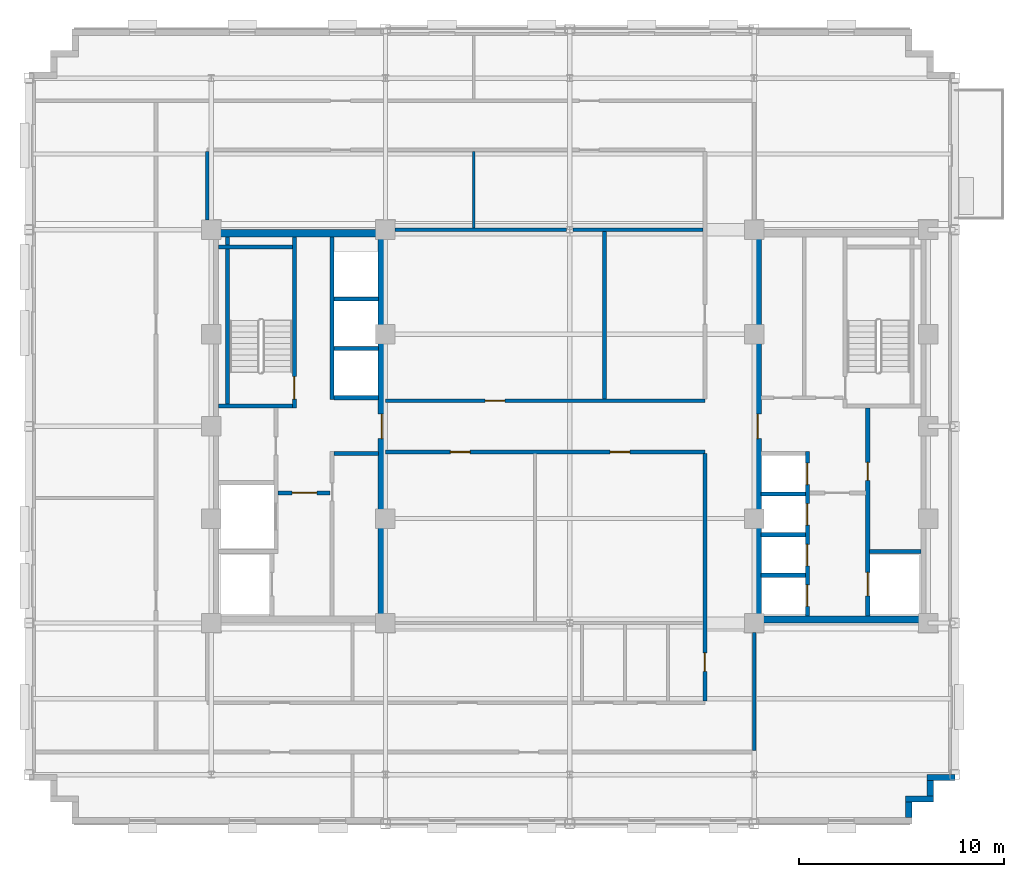
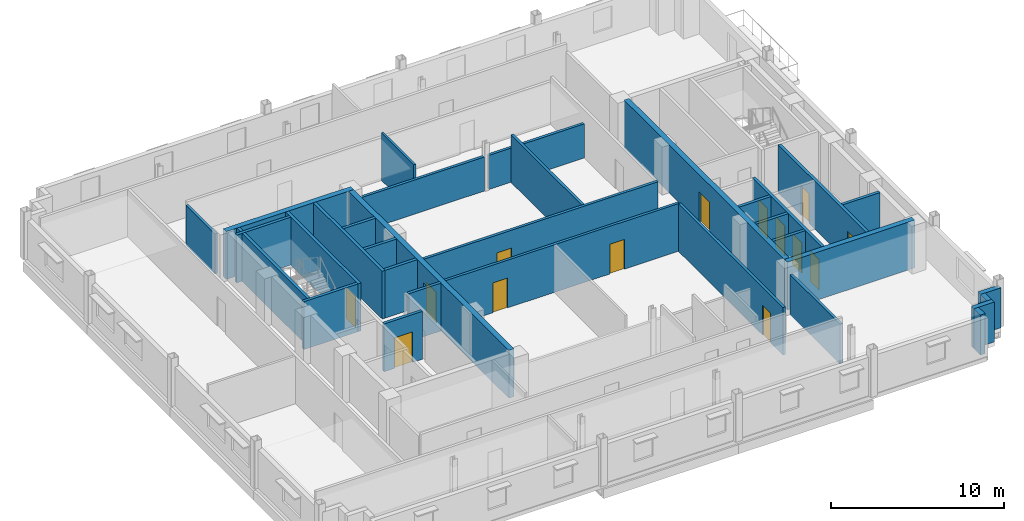
# One storey, part 7 of 13: 33 walls, 14 doors, 14 openings.
"""IFC4 building model written with IfcOpenShell, lengths in metres."""

from ifc_helpers import new_model, si_unit, direction, frame, frame_2d, origin, place, context, subcontext, project, spatial, rectangle, extrude, source, transform, mapped, material, layer, layer_set, type_object, type_shapes, element, fill, save


model = new_model("IFC4")

# Units and contexts
model_context = context("Model", 3, precision=1e-05, world=origin(), true_north=direction((0.0, 1.0)))
body_context = subcontext(model_context, "Body", "Model", "MODEL_VIEW")
ifc_project = project(units=[si_unit("LENGTHUNIT", "METRE"), si_unit("AREAUNIT", "SQUARE_METRE"), si_unit("VOLUMEUNIT", "CUBIC_METRE"), si_unit("PLANEANGLEUNIT", "RADIAN"), si_unit("MASSUNIT", "GRAM", prefix="KILO")], contexts=[model_context])

# Site, building, storey
site_placement = place(None, origin())
site = spatial("IfcSite", under=ifc_project, at=site_placement, CompositionType="ELEMENT")
building_placement = place(site_placement, origin())
building = spatial("IfcBuilding", under=site, at=building_placement, Name="Nuvemarco Arch Tower", CompositionType="ELEMENT")
storey_placement = place(building_placement, frame((0.0, 0.0, 220.10009765625)))
storey = spatial("IfcBuildingStorey", under=building, at=storey_placement, Name="L58", CompositionType="ELEMENT", Elevation=220.10009765625)

# Walls
ifc_material_1 = material(Name="Precast concrete C45/55", Category="concrete")
ifc_layer_1 = layer(ifc_material_1, 0.31005859375, Name="EW-UPP-310")
ifc_layer_set_1 = layer_set([ifc_layer_1], Name="Precast concrete C45/55")
wall_type_1 = type_object("IfcWallType", Name="EW-UPP-310", PredefinedType="STANDARD", material=ifc_layer_set_1)
wall_1_placement = place(storey_placement, frame((16.544921875, -19.093994140625, 0.0), z_axis=(0.0, 0.0, 1.0), x_axis=(0.0, 1.0, 0.0)))
element("IfcWall", 1, at=wall_1_placement, inside=storey, type_object=wall_type_1, Name="L58 exterior precast facade wall 2", PredefinedType="STANDARD", context=body_context, shape_type="SweptSolid", body=[
    extrude(rectangle(XDim=0.748046875, YDim=0.31005859375, at=frame_2d((0.3740234375, 0.0))), origin(), (0.0, 0.0, 1.0), 2.81591796875),
])
wall_2_placement = place(storey_placement, frame((16.389892578125, -18.195068359375, 0.0), z_axis=(0.0, 0.0, 1.0), x_axis=(1.0, 0.0, 0.0)))
element("IfcWall", 2, at=wall_2_placement, inside=storey, type_object=wall_type_1, Name="L58 exterior precast facade wall 3", PredefinedType="STANDARD", context=body_context, shape_type="SweptSolid", body=[
    extrude(rectangle(XDim=1.360107421875, YDim=0.31005859375, at=frame_2d((0.68017578125, 0.0))), origin(), (0.0, 0.0, 1.0), 2.81591796875),
])
wall_3_placement = place(storey_placement, frame((17.594970703125, -18.0439453125, 0.0), z_axis=(0.0, 0.0, 1.0), x_axis=(0.0, 1.0, 0.0)))
element("IfcWall", 3, at=wall_3_placement, inside=storey, type_object=wall_type_1, Name="L58 exterior precast facade wall 4", PredefinedType="STANDARD", context=body_context, shape_type="SweptSolid", body=[
    extrude(rectangle(XDim=0.748046875, YDim=0.31005859375, at=frame_2d((0.3740234375, 0.0))), origin(), (0.0, 0.0, 1.0), 2.81591796875),
])
wall_4_placement = place(storey_placement, frame((17.43994140625, -17.14501953125, 0.0), z_axis=(0.0, 0.0, 1.0), x_axis=(1.0, 0.0, 0.0)))
element("IfcWall", 4, at=wall_4_placement, inside=storey, type_object=wall_type_1, Name="L58 exterior precast facade wall 5", PredefinedType="STANDARD", context=body_context, shape_type="SweptSolid", body=[
    extrude(rectangle(XDim=1.360107421875, YDim=0.31005859375, at=frame_2d((0.68017578125, 0.0))), origin(), (0.0, 0.0, 1.0), 2.81591796875),
])
ifc_material_2 = material(Name="Concrete C50/60", Category="concrete")
ifc_layer_2 = layer(ifc_material_2, 0.35009765625, Name="WL-CORE-350")
ifc_layer_set_2 = layer_set([ifc_layer_2], Name="Concrete C50/60")
wall_type_2 = type_object("IfcWallType", Name="WL-CORE-350", PredefinedType="SHEAR", material=ifc_layer_set_2)
wall_5_placement = place(storey_placement, frame((-17.5, 9.425048828125, 0.0), z_axis=(0.0, 0.0, 1.0), x_axis=(1.0, 0.0, 0.0)))
element("IfcWall", 5, at=wall_5_placement, inside=storey, type_object=wall_type_2, Name="L58 W-core shear wall N", PredefinedType="SHEAR", context=body_context, shape_type="SweptSolid", body=[
    extrude(rectangle(XDim=8.5, YDim=0.35009765625, at=frame_2d((4.25, 0.0))), origin(), (0.0, 0.0, 1.0), 3.369873046875),
])

# Wall, opening, door
wall_6_placement = place(storey_placement, frame((-9.175048828125, -9.2548828125, 0.0), z_axis=(0.0, 0.0, 1.0), x_axis=(0.0, 1.0, 0.0)))
wall_6 = element("IfcWall", 6, at=wall_6_placement, inside=storey, type_object=wall_type_2, Name="L58 W-core shear wall E", PredefinedType="SHEAR", context=body_context, shape_type="SweptSolid", body=[
    extrude(rectangle(XDim=18.509765625, YDim=0.35009765625, at=frame_2d((9.2548828125, 0.0))), origin(), (0.0, 0.0, 1.0), 3.369873046875),
])
opening_1_placement = place(wall_6_placement, frame((8.655029296875, 0.0, 0.0)))
opening_1 = element("IfcOpeningElement", 7, at=opening_1_placement, cuts=wall_6, Name="Opening FD-2", PredefinedType="OPENING", context=body_context, shape_type="SweptSolid", body=[
    extrude(rectangle(XDim=1.199951171875, YDim=2.14990234375, at=frame_2d((0.60009765625, 1.074951171875))), frame((0.0, 0.18505859375, 0.0), z_axis=(0.0, -1.0, 0.0), x_axis=(1.0, 0.0, 0.0)), (0.0, 0.0, 1.0), 0.3701171875),
])
ifc_material_3 = material(Name="Anodised steel fire door", Category="steel")
door_type_1 = type_object("IfcDoorType", Name="DR-FFLOB-FD", OperationType="NOTDEFINED", PredefinedType="DOOR", material=ifc_material_3)
shared_shape_1 = source(origin(), body_context, "Body", "SweptSolid", [
    extrude(rectangle(XDim=1.199951171875, YDim=2.14990234375, at=frame_2d((0.60009765625, 1.074951171875))), frame((0.0, 0.02490234375, 0.0), z_axis=(0.0, -1.0, 0.0), x_axis=(1.0, 0.0, 0.0)), (0.0, 0.0, 1.0), 0.050048828125),
])
type_shapes(door_type_1, [shared_shape_1])
door_1_placement = place(opening_1_placement, origin())
door_1 = element("IfcDoor", 8, at=door_1_placement, inside=storey, type_object=door_type_1, Name="L58 door FD-L58-WCORE-E", OperationType="SINGLE_SWING_RIGHT", OverallHeight=2.14990234375, OverallWidth=1.199951171875, PredefinedType="DOOR", context=body_context, shape_type="MappedRepresentation", body=[
    mapped(shared_shape_1, transform((0.0, 0.0, 0.0), scale=1.0)),
])
fill(opening_1, door_1)

# Wall
wall_7_placement = place(storey_placement, frame((9.0, -9.425048828125, 0.0), z_axis=(0.0, 0.0, 1.0), x_axis=(1.0, 0.0, 0.0)))
element("IfcWall", 9, at=wall_7_placement, inside=storey, type_object=wall_type_2, Name="L58 E-core shear wall S", PredefinedType="SHEAR", context=body_context, shape_type="SweptSolid", body=[
    extrude(rectangle(XDim=8.5, YDim=0.35009765625, at=frame_2d((4.25, 0.0))), origin(), (0.0, 0.0, 1.0), 3.369873046875),
])

# Wall, opening, door
wall_8_placement = place(storey_placement, frame((9.175048828125, -9.2548828125, 0.0), z_axis=(0.0, 0.0, 1.0), x_axis=(0.0, 1.0, 0.0)))
wall_8 = element("IfcWall", 10, at=wall_8_placement, inside=storey, type_object=wall_type_2, Name="L58 E-core shear wall W", PredefinedType="SHEAR", context=body_context, shape_type="SweptSolid", body=[
    extrude(rectangle(XDim=18.509765625, YDim=0.35009765625, at=frame_2d((9.2548828125, 0.0))), origin(), (0.0, 0.0, 1.0), 3.369873046875),
])
opening_2_placement = place(wall_8_placement, frame((8.655029296875, 0.0, 0.0)))
opening_2 = element("IfcOpeningElement", 11, at=opening_2_placement, cuts=wall_8, Name="Opening FD-2", PredefinedType="OPENING", context=body_context, shape_type="SweptSolid", body=[
    extrude(rectangle(XDim=1.199951171875, YDim=2.14990234375, at=frame_2d((0.60009765625, 1.074951171875))), frame((0.0, 0.18505859375, 0.0), z_axis=(0.0, -1.0, 0.0), x_axis=(1.0, 0.0, 0.0)), (0.0, 0.0, 1.0), 0.3701171875),
])
door_2_placement = place(opening_2_placement, origin())
door_2 = element("IfcDoor", 12, at=door_2_placement, inside=storey, type_object=door_type_1, Name="L58 door FD-L58-ECORE-W", OperationType="SINGLE_SWING_LEFT", OverallHeight=2.14990234375, OverallWidth=1.199951171875, PredefinedType="DOOR", context=body_context, shape_type="MappedRepresentation", body=[
    mapped(shared_shape_1, transform((0.0, 0.0, 0.0), scale=1.0)),
])
fill(opening_2, door_2)

# Wall, openings, doors
ifc_material_4 = material(Name="Fire-rated gypsum drywall partition")
ifc_layer_3 = layer(ifc_material_4, 0.179931640625, Name="WL-CORR-180")
ifc_layer_set_3 = layer_set([ifc_layer_3], Name="Fire-rated gypsum drywall partition")
wall_type_3 = type_object("IfcWallType", Name="WL-CORR-180", PredefinedType="PARTITIONING", material=ifc_layer_set_3)
wall_9_placement = place(storey_placement, frame((-9.0, -1.25, 0.0), z_axis=(0.0, 0.0, 1.0), x_axis=(1.0, 0.0, 0.0)))
wall_9 = element("IfcWall", 13, at=wall_9_placement, inside=storey, type_object=wall_type_3, Name="L58 interior wall IW-L58-006", PredefinedType="PARTITIONING", context=body_context, shape_type="SweptSolid", body=[
    extrude(rectangle(XDim=15.60009765625, YDim=0.179931640625, at=frame_2d((7.800048828125, 0.0))), origin(), (0.0, 0.0, 1.0), 3.35986328125),
])
opening_3_placement = place(wall_9_placement, frame((10.969970703125, 0.0, 0.0)))
opening_3 = element("IfcOpeningElement", 14, at=opening_3_placement, cuts=wall_9, Name="Opening FD-5", PredefinedType="OPENING", context=body_context, shape_type="SweptSolid", body=[
    extrude(rectangle(XDim=0.9599609375, YDim=2.10009765625, at=frame_2d((0.47998046875, 1.050048828125))), frame((0.0, 0.099853515625, 0.0), z_axis=(0.0, -1.0, 0.0), x_axis=(1.0, 0.0, 0.0)), (0.0, 0.0, 1.0), 0.199951171875),
])
opening_4_placement = place(wall_9_placement, frame((3.169921875, 0.0, 0.0)))
opening_4 = element("IfcOpeningElement", 15, at=opening_4_placement, cuts=wall_9, Name="Opening FD-5", PredefinedType="OPENING", context=body_context, shape_type="SweptSolid", body=[
    extrude(rectangle(XDim=0.9599609375, YDim=2.10009765625, at=frame_2d((0.47998046875, 1.050048828125))), frame((0.0, 0.099853515625, 0.0), z_axis=(0.0, -1.0, 0.0), x_axis=(1.0, 0.0, 0.0)), (0.0, 0.0, 1.0), 0.199951171875),
])
ifc_material_5 = material(Name="Timber fire door", Category="wood")
door_type_2 = type_object("IfcDoorType", Name="DR-CORR-FD", OperationType="NOTDEFINED", PredefinedType="DOOR", material=ifc_material_5)
shared_shape_2 = source(origin(), body_context, "Body", "SweptSolid", [
    extrude(rectangle(XDim=0.9599609375, YDim=2.10009765625, at=frame_2d((0.47998046875, 1.050048828125))), frame((0.0, 0.02490234375, 0.0), z_axis=(0.0, -1.0, 0.0), x_axis=(1.0, 0.0, 0.0)), (0.0, 0.0, 1.0), 0.050048828125),
])
type_shapes(door_type_2, [shared_shape_2])
door_3_placement = place(opening_3_placement, origin())
door_3 = element("IfcDoor", 16, at=door_3_placement, inside=storey, type_object=door_type_2, Name="L58 door DR-L58-C_SE", OperationType="SINGLE_SWING_LEFT", OverallHeight=2.10009765625, OverallWidth=0.9599609375, PredefinedType="DOOR", context=body_context, shape_type="MappedRepresentation", body=[
    mapped(shared_shape_2, transform((0.0, 0.0, 0.0), scale=1.0)),
])
fill(opening_3, door_3)
door_4_placement = place(opening_4_placement, origin())
door_4 = element("IfcDoor", 17, at=door_4_placement, inside=storey, type_object=door_type_2, Name="L58 door DR-L58-C_SW", OperationType="SINGLE_SWING_LEFT", OverallHeight=2.10009765625, OverallWidth=0.9599609375, PredefinedType="DOOR", context=body_context, shape_type="MappedRepresentation", body=[
    mapped(shared_shape_2, transform((0.0, 0.0, 0.0), scale=1.0)),
])
fill(opening_4, door_4)

# Wall, opening, door
wall_10_placement = place(storey_placement, frame((-9.0, 1.25, 0.0), z_axis=(0.0, 0.0, 1.0), x_axis=(1.0, 0.0, 0.0)))
wall_10 = element("IfcWall", 18, at=wall_10_placement, inside=storey, type_object=wall_type_3, Name="L58 interior wall IW-L58-007", PredefinedType="PARTITIONING", context=body_context, shape_type="SweptSolid", body=[
    extrude(rectangle(XDim=15.60009765625, YDim=0.179931640625, at=frame_2d((7.800048828125, 0.0))), origin(), (0.0, 0.0, 1.0), 3.35986328125),
])
opening_5_placement = place(wall_10_placement, frame((4.8701171875, 0.0, 0.0)))
opening_5 = element("IfcOpeningElement", 19, at=opening_5_placement, cuts=wall_10, Name="Opening FD-5", PredefinedType="OPENING", context=body_context, shape_type="SweptSolid", body=[
    extrude(rectangle(XDim=0.9599609375, YDim=2.10009765625, at=frame_2d((0.47998046875, 1.050048828125))), frame((0.0, 0.099853515625, 0.0), z_axis=(0.0, -1.0, 0.0), x_axis=(1.0, 0.0, 0.0)), (0.0, 0.0, 1.0), 0.199951171875),
])
door_5_placement = place(opening_5_placement, origin())
door_5 = element("IfcDoor", 20, at=door_5_placement, inside=storey, type_object=door_type_2, Name="L58 door DR-L58-C_NW", OperationType="SINGLE_SWING_LEFT", OverallHeight=2.10009765625, OverallWidth=0.9599609375, PredefinedType="DOOR", context=body_context, shape_type="MappedRepresentation", body=[
    mapped(shared_shape_2, transform((0.0, 0.0, 0.0), scale=1.0)),
])
fill(opening_5, door_5)

# Walls
wall_11_placement = place(storey_placement, frame((-8.529052734375, 9.60009765625, 0.0), z_axis=(0.0, 0.0, 1.0), x_axis=(1.0, 0.0, 0.0)))
element("IfcWall", 21, at=wall_11_placement, inside=storey, type_object=wall_type_3, Name="L58 interior wall IW-L58-008", PredefinedType="PARTITIONING", context=body_context, shape_type="SweptSolid", body=[
    extrude(rectangle(XDim=8.378173828125, YDim=0.179931640625, at=frame_2d((4.18896484375, 0.0))), origin(), (0.0, 0.0, 1.0), 2.40478515625),
])
wall_12_placement = place(storey_placement, frame((0.15087890625, 9.60009765625, 0.0), z_axis=(0.0, 0.0, 1.0), x_axis=(1.0, 0.0, 0.0)))
element("IfcWall", 22, at=wall_12_placement, inside=storey, type_object=wall_type_3, Name="L58 interior wall IW-L58-009", PredefinedType="PARTITIONING", context=body_context, shape_type="SweptSolid", body=[
    extrude(rectangle(XDim=6.363037109375, YDim=0.179931640625, at=frame_2d((3.181640625, 0.0))), origin(), (0.0, 0.0, 1.0), 2.40478515625),
])
wall_13_placement = place(storey_placement, frame((-17.699951171875, 10.071044921875, 0.0), z_axis=(0.0, 0.0, 1.0), x_axis=(0.0, 1.0, 0.0)))
element("IfcWall", 23, at=wall_13_placement, inside=storey, type_object=wall_type_3, Name="L58 interior wall IW-L58-014", PredefinedType="PARTITIONING", context=body_context, shape_type="SweptSolid", body=[
    extrude(rectangle(XDim=3.343017578125, YDim=0.179931640625, at=frame_2d((1.67138671875, 0.0))), origin(), (0.0, 0.0, 1.0), 2.81591796875),
])
wall_14_placement = place(storey_placement, frame((1.699951171875, 1.3359375, 0.0), z_axis=(0.0, 0.0, 1.0), x_axis=(0.0, 1.0, 0.0)))
element("IfcWall", 24, at=wall_14_placement, inside=storey, type_object=wall_type_3, Name="L58 interior wall IW-L58-021", PredefinedType="PARTITIONING", context=body_context, shape_type="SweptSolid", body=[
    extrude(rectangle(XDim=8.177978515625, YDim=0.179931640625, at=frame_2d((4.0888671875, 0.0))), origin(), (0.0, 0.0, 1.0), 3.35986328125),
])

# Wall, opening, door
wall_15_placement = place(storey_placement, frame((6.60009765625, -13.4140625, 0.0), z_axis=(0.0, 0.0, 1.0), x_axis=(0.0, 1.0, 0.0)))
wall_15 = element("IfcWall", 25, at=wall_15_placement, inside=storey, type_object=wall_type_3, Name="L58 interior wall IW-L58-024", PredefinedType="PARTITIONING", context=body_context, shape_type="SweptSolid", body=[
    extrude(rectangle(XDim=12.078125, YDim=0.179931640625, at=frame_2d((6.0390625, 0.0))), origin(), (0.0, 0.0, 1.0), 3.35986328125),
])
opening_6_placement = place(wall_15_placement, frame((1.45703125, 0.0, 0.0)))
opening_6 = element("IfcOpeningElement", 26, at=opening_6_placement, cuts=wall_15, Name="Opening ID-3", PredefinedType="OPENING", context=body_context, shape_type="SweptSolid", body=[
    extrude(rectangle(XDim=0.89990234375, YDim=2.10009765625, at=frame_2d((0.449951171875, 1.050048828125))), frame((0.0, 0.099853515625, 0.0), z_axis=(0.0, -1.0, 0.0), x_axis=(1.0, 0.0, 0.0)), (0.0, 0.0, 1.0), 0.199951171875),
])
ifc_material_6 = material(Name="Veneered oak timber fire door", Category="wood")
door_type_3 = type_object("IfcDoorType", Name="DR-WC-ACC", OperationType="NOTDEFINED", PredefinedType="DOOR", material=ifc_material_6)
shared_shape_3 = source(origin(), body_context, "Body", "SweptSolid", [
    extrude(rectangle(XDim=0.89990234375, YDim=2.10009765625, at=frame_2d((0.449951171875, 1.050048828125))), frame((0.0, 0.02490234375, 0.0), z_axis=(0.0, -1.0, 0.0), x_axis=(1.0, 0.0, 0.0)), (0.0, 0.0, 1.0), 0.050048828125),
])
type_shapes(door_type_3, [shared_shape_3])
door_6_placement = place(opening_6_placement, origin())
door_6 = element("IfcDoor", 27, at=door_6_placement, inside=storey, type_object=door_type_3, Name="L58 door DR-L58-WC_ACC", OperationType="SINGLE_SWING_RIGHT", OverallHeight=2.10009765625, OverallWidth=0.89990234375, PredefinedType="DOOR", context=body_context, shape_type="MappedRepresentation", body=[
    mapped(shared_shape_3, transform((0.0, 0.0, 0.0), scale=1.0)),
])
fill(opening_6, door_6)

# Walls
wall_16_placement = place(storey_placement, frame((9.0, -15.81396484375, 0.0), z_axis=(0.0, 0.0, 1.0), x_axis=(0.0, 1.0, 0.0)))
element("IfcWall", 28, at=wall_16_placement, inside=storey, type_object=wall_type_3, Name="L58 interior wall IW-L58-026", PredefinedType="PARTITIONING", context=body_context, shape_type="SweptSolid", body=[
    extrude(rectangle(XDim=5.742919921875, YDim=0.179931640625, at=frame_2d((2.87158203125, 0.0))), origin(), (0.0, 0.0, 1.0), 2.81591796875),
])
ifc_material_7 = material(Name="Gypsum plasterboard partition")
ifc_layer_4 = layer(ifc_material_7, 0.139892578125, Name="WL-ROOM-140")
ifc_layer_set_4 = layer_set([ifc_layer_4], Name="Gypsum plasterboard partition")
wall_type_4 = type_object("IfcWallType", Name="WL-ROOM-140", PredefinedType="PARTITIONING", material=ifc_layer_set_4)
wall_17_placement = place(storey_placement, frame((-4.68994140625, 9.68603515625, 0.0), z_axis=(0.0, 0.0, 1.0), x_axis=(0.0, 1.0, 0.0)))
element("IfcWall", 29, at=wall_17_placement, inside=storey, type_object=wall_type_4, Name="L58 interior wall IW-L58-017", PredefinedType="PARTITIONING", context=body_context, shape_type="SweptSolid", body=[
    extrude(rectangle(XDim=3.72802734375, YDim=0.139892578125, at=frame_2d((1.864013671875, 0.0))), origin(), (0.0, 0.0, 1.0), 3.35986328125),
])

# Wall, opening, door
ifc_layer_5 = layer(ifc_material_2, 0.199951171875, Name="WL-SHAFT-220")
ifc_layer_set_5 = layer_set([ifc_layer_5], Name="Concrete C50/60")
wall_type_5 = type_object("IfcWallType", Name="WL-SHAFT-220", PredefinedType="SHEAR", material=ifc_layer_set_5)
wall_18_placement = place(storey_placement, frame((-13.43994140625, 0.89990234375, 0.0), z_axis=(0.0, 0.0, 1.0), x_axis=(0.0, 1.0, 0.0)))
wall_18 = element("IfcWall", 30, at=wall_18_placement, inside=storey, type_object=wall_type_5, Name="L58 structural shaft wall SW-L58-W-ST1E", PredefinedType="SHEAR", context=body_context, shape_type="SweptSolid", body=[
    extrude(rectangle(XDim=8.35498046875, YDim=0.199951171875, at=frame_2d((4.177490234375, 0.0))), origin(), (0.0, 0.0, 1.0), 3.369873046875),
])
opening_7_placement = place(wall_18_placement, frame((1.530029296875, 0.0, 0.0), z_axis=(0.0, 0.0, 1.0), x_axis=(-1.0, 0.0, 0.0)))
opening_7 = element("IfcOpeningElement", 31, at=opening_7_placement, cuts=wall_18, Name="Opening FD-1", PredefinedType="OPENING", context=body_context, shape_type="SweptSolid", body=[
    extrude(rectangle(XDim=1.10009765625, YDim=2.14990234375, at=frame_2d((0.550048828125, 1.074951171875))), frame((0.0, 0.10986328125, 0.0), z_axis=(0.0, -1.0, 0.0), x_axis=(1.0, 0.0, 0.0)), (0.0, 0.0, 1.0), 0.219970703125),
])
door_type_4 = type_object("IfcDoorType", Name="DR-STAIR-FD", OperationType="NOTDEFINED", PredefinedType="DOOR", material=ifc_material_3)
shared_shape_4 = source(origin(), body_context, "Body", "SweptSolid", [
    extrude(rectangle(XDim=1.10009765625, YDim=2.14990234375, at=frame_2d((0.550048828125, 1.074951171875))), frame((0.0, 0.02490234375, 0.0), z_axis=(0.0, -1.0, 0.0), x_axis=(1.0, 0.0, 0.0)), (0.0, 0.0, 1.0), 0.050048828125),
])
type_shapes(door_type_4, [shared_shape_4])
door_7_placement = place(opening_7_placement, origin())
door_7 = element("IfcDoor", 32, at=door_7_placement, inside=storey, type_object=door_type_4, Name="L58 door FD-L58-ST1", OperationType="SINGLE_SWING_LEFT", OverallHeight=2.14990234375, OverallWidth=1.10009765625, PredefinedType="DOOR", context=body_context, shape_type="MappedRepresentation", body=[
    mapped(shared_shape_4, transform((0.0, 0.0, 0.0), scale=1.0)),
])
fill(opening_7, door_7)

# Walls
for number, where, z_axis, x_axis, name in (
    (33, (-17.155029296875, 1.0, 0.0), (0.0, 0.0, 1.0), (1.0, 0.0, 0.0), "L58 structural shaft wall SW-L58-W-ST1S"),
    (34, (-17.155029296875, 8.75, 0.0), (0.0, 0.0, 1.0), (1.0, 0.0, 0.0), "L58 structural shaft wall SW-L58-W-ST1N"),
):
    element("IfcWall", number, at=place(storey_placement, frame(where, z_axis=z_axis, x_axis=x_axis)), inside=storey, type_object=wall_type_5, Name=name, PredefinedType="SHEAR", context=body_context, shape_type="SweptSolid", body=[
        extrude(rectangle(XDim=3.6201171875, YDim=0.199951171875, at=frame_2d((1.81005859375, 0.0))), origin(), (0.0, 0.0, 1.0), 3.369873046875),
    ])
wall_19_placement = place(storey_placement, frame((-16.699951171875, 1.094970703125, 0.0), z_axis=(0.0, 0.0, 1.0), x_axis=(0.0, 1.0, 0.0)))
element("IfcWall", 35, at=wall_19_placement, inside=storey, type_object=wall_type_5, Name="L58 structural shaft wall SW-L58-W-ST1W", PredefinedType="SHEAR", context=body_context, shape_type="SweptSolid", body=[
    extrude(rectangle(XDim=8.159912109375, YDim=0.199951171875, at=frame_2d((4.080078125, 0.0))), origin(), (0.0, 0.0, 1.0), 3.369873046875),
])

# Wall, opening, door
wall_20_placement = place(storey_placement, frame((-14.2548828125, -3.25, 0.0), z_axis=(0.0, 0.0, 1.0), x_axis=(1.0, 0.0, 0.0)))
wall_20 = element("IfcWall", 36, at=wall_20_placement, inside=storey, type_object=wall_type_5, Name="L58 structural shaft wall SW-L58-W-FFN", PredefinedType="SHEAR", context=body_context, shape_type="SweptSolid", body=[
    extrude(rectangle(XDim=2.559814453125, YDim=0.199951171875, at=frame_2d((1.27978515625, 0.0))), origin(), (0.0, 0.0, 1.0), 3.369873046875),
])
opening_8_placement = place(wall_20_placement, frame((0.705078125, 0.0, 0.0)))
opening_8 = element("IfcOpeningElement", 37, at=opening_8_placement, cuts=wall_20, Name="Opening FD-2", PredefinedType="OPENING", context=body_context, shape_type="SweptSolid", body=[
    extrude(rectangle(XDim=1.199951171875, YDim=2.14990234375, at=frame_2d((0.60009765625, 1.074951171875))), frame((0.0, 0.10986328125, 0.0), z_axis=(0.0, -1.0, 0.0), x_axis=(1.0, 0.0, 0.0)), (0.0, 0.0, 1.0), 0.219970703125),
])
door_8_placement = place(opening_8_placement, origin())
door_8 = element("IfcDoor", 38, at=door_8_placement, inside=storey, type_object=door_type_1, Name="L58 door FD-L58-WFF1", OperationType="SINGLE_SWING_LEFT", OverallHeight=2.14990234375, OverallWidth=1.199951171875, PredefinedType="DOOR", context=body_context, shape_type="MappedRepresentation", body=[
    mapped(shared_shape_1, transform((0.0, 0.0, 0.0), scale=1.0)),
])
fill(opening_8, door_8)

# Walls
wall_21_placement = place(storey_placement, frame((-11.5048828125, -1.330078125, 0.0), z_axis=(0.0, 0.0, 1.0), x_axis=(1.0, 0.0, 0.0)))
element("IfcWall", 39, at=wall_21_placement, inside=storey, type_object=wall_type_5, Name="L58 structural shaft wall SW-L58-W-PLTOP", PredefinedType="SHEAR", context=body_context, shape_type="SweptSolid", body=[
    extrude(rectangle(XDim=2.159912109375, YDim=0.199951171875, at=frame_2d((1.080078125, 0.0))), origin(), (0.0, 0.0, 1.0), 3.369873046875),
])
wall_22_placement = place(storey_placement, frame((-11.60009765625, 1.300048828125, 0.0), z_axis=(0.0, 0.0, 1.0), x_axis=(0.0, 1.0, 0.0)))
element("IfcWall", 40, at=wall_22_placement, inside=storey, type_object=wall_type_5, Name="L58 structural shaft wall SW-L58-W-PHW", PredefinedType="SHEAR", context=body_context, shape_type="SweptSolid", body=[
    extrude(rectangle(XDim=7.954833984375, YDim=0.199951171875, at=frame_2d((3.9775390625, 0.0))), origin(), (0.0, 0.0, 1.0), 3.369873046875),
])
for number, where, z_axis, x_axis, name in (
    (41, (-11.5048828125, 1.39990234375, 0.0), (0.0, 0.0, 1.0), (1.0, 0.0, 0.0), "L58 structural shaft wall SW-L58-W-PHD1"),
    (42, (-11.5048828125, 3.800048828125, 0.0), (0.0, 0.0, 1.0), (1.0, 0.0, 0.0), "L58 structural shaft wall SW-L58-W-PHD2"),
    (43, (-11.5048828125, 6.219970703125, 0.0), (0.0, 0.0, 1.0), (1.0, 0.0, 0.0), "L58 structural shaft wall SW-L58-W-PHD3"),
):
    element("IfcWall", number, at=place(storey_placement, frame(where, z_axis=z_axis, x_axis=x_axis)), inside=storey, type_object=wall_type_5, Name=name, PredefinedType="SHEAR", context=body_context, shape_type="SweptSolid", body=[
        extrude(rectangle(XDim=2.159912109375, YDim=0.199951171875, at=frame_2d((1.080078125, 0.0))), origin(), (0.0, 0.0, 1.0), 3.369873046875),
    ])

# Wall, openings, doors
wall_23_placement = place(storey_placement, frame((14.550048828125, -9.2548828125, 0.0), z_axis=(0.0, 0.0, 1.0), x_axis=(0.0, 1.0, 0.0)))
wall_23 = element("IfcWall", 44, at=wall_23_placement, inside=storey, type_object=wall_type_5, Name="L58 structural shaft wall SW-L58-E-SHW", PredefinedType="SHEAR", context=body_context, shape_type="SweptSolid", body=[
    extrude(rectangle(XDim=10.159912109375, YDim=0.199951171875, at=frame_2d((5.080078125, 0.0))), origin(), (0.0, 0.0, 1.0), 3.369873046875),
])
opening_9_placement = place(wall_23_placement, frame((6.614990234375, 0.0, 0.0)))
opening_9 = element("IfcOpeningElement", 45, at=opening_9_placement, cuts=wall_23, Name="Opening FD-4", PredefinedType="OPENING", context=body_context, shape_type="SweptSolid", body=[
    extrude(rectangle(XDim=0.8798828125, YDim=2.10009765625, at=frame_2d((0.43994140625, 1.050048828125))), frame((0.0, 0.10986328125, 0.0), z_axis=(0.0, -1.0, 0.0), x_axis=(1.0, 0.0, 0.0)), (0.0, 0.0, 1.0), 0.219970703125),
])
opening_10_placement = place(wall_23_placement, frame((0.97998046875, 0.0, 0.0)))
opening_10 = element("IfcOpeningElement", 46, at=opening_10_placement, cuts=wall_23, Name="Opening LD-2", PredefinedType="OPENING", context=body_context, shape_type="SweptSolid", body=[
    extrude(rectangle(XDim=1.14990234375, YDim=2.14990234375, at=frame_2d((0.574951171875, 1.074951171875))), frame((0.0, 0.10986328125, 0.0), z_axis=(0.0, -1.0, 0.0), x_axis=(1.0, 0.0, 0.0)), (0.0, 0.0, 1.0), 0.219970703125),
])
door_type_5 = type_object("IfcDoorType", Name="DR-RISER-FD", OperationType="NOTDEFINED", PredefinedType="DOOR", material=ifc_material_3)
shared_shape_5 = source(origin(), body_context, "Body", "SweptSolid", [
    extrude(rectangle(XDim=0.8798828125, YDim=2.10009765625, at=frame_2d((0.43994140625, 1.050048828125))), frame((0.0, 0.02490234375, 0.0), z_axis=(0.0, -1.0, 0.0), x_axis=(1.0, 0.0, 0.0)), (0.0, 0.0, 1.0), 0.050048828125),
])
type_shapes(door_type_5, [shared_shape_5])
door_9_placement = place(opening_9_placement, origin())
door_9 = element("IfcDoor", 47, at=door_9_placement, inside=storey, type_object=door_type_5, Name="L58 door FD-L58-ERIS", OperationType="SINGLE_SWING_RIGHT", OverallHeight=2.10009765625, OverallWidth=0.8798828125, PredefinedType="DOOR", context=body_context, shape_type="MappedRepresentation", body=[
    mapped(shared_shape_5, transform((0.0, 0.0, 0.0), scale=1.0)),
])
fill(opening_9, door_9)
ifc_material_8 = material(Name="Stainless steel lift door", Category="steel")
door_type_6 = type_object("IfcDoorType", Name="DR-LIFT-FIRE", OperationType="DOUBLE_DOOR_SLIDING", PredefinedType="DOOR", material=ifc_material_8)
shared_shape_6 = source(origin(), body_context, "Body", "SweptSolid", [
    extrude(rectangle(XDim=1.14990234375, YDim=2.14990234375, at=frame_2d((0.574951171875, 1.074951171875))), frame((0.0, 0.02490234375, 0.0), z_axis=(0.0, -1.0, 0.0), x_axis=(1.0, 0.0, 0.0)), (0.0, 0.0, 1.0), 0.050048828125),
])
type_shapes(door_type_6, [shared_shape_6])
door_10_placement = place(opening_10_placement, origin())
door_10 = element("IfcDoor", 48, at=door_10_placement, inside=storey, type_object=door_type_6, Name="L58 Lift landing sliding door FFL-2", OperationType="DOUBLE_DOOR_SLIDING", OverallHeight=2.14990234375, OverallWidth=1.14990234375, PredefinedType="DOOR", context=body_context, shape_type="MappedRepresentation", body=[
    mapped(shared_shape_6, transform((0.0, 0.0, 0.0), scale=1.0)),
])
fill(opening_10, door_10)

# Wall
wall_24_placement = place(storey_placement, frame((14.64501953125, -6.10009765625, 0.0), z_axis=(0.0, 0.0, 1.0), x_axis=(1.0, 0.0, 0.0)))
element("IfcWall", 49, at=wall_24_placement, inside=storey, type_object=wall_type_5, Name="L58 structural shaft wall SW-L58-E-SH1", PredefinedType="SHEAR", context=body_context, shape_type="SweptSolid", body=[
    extrude(rectangle(XDim=2.510009765625, YDim=0.199951171875, at=frame_2d((1.2548828125, 0.0))), origin(), (0.0, 0.0, 1.0), 3.369873046875),
])

# Wall, openings, doors
wall_25_placement = place(storey_placement, frame((11.60009765625, -9.2548828125, 0.0), z_axis=(0.0, 0.0, 1.0), x_axis=(0.0, 1.0, 0.0)))
wall_25 = element("IfcWall", 50, at=wall_25_placement, inside=storey, type_object=wall_type_5, Name="L58 structural shaft wall SW-L58-E-PME", PredefinedType="SHEAR", context=body_context, shape_type="SweptSolid", body=[
    extrude(rectangle(XDim=8.02490234375, YDim=0.199951171875, at=frame_2d((4.012451171875, 0.0))), origin(), (0.0, 0.0, 1.0), 3.369873046875),
])
opening_11_placement = place(wall_25_placement, frame((0.469970703125, 0.0, 0.0)))
opening_11 = element("IfcOpeningElement", 51, at=opening_11_placement, cuts=wall_25, Name="Opening LD-1", PredefinedType="OPENING", context=body_context, shape_type="SweptSolid", body=[
    extrude(rectangle(XDim=1.050048828125, YDim=2.14990234375, at=frame_2d((0.52490234375, 1.074951171875))), frame((0.0, 0.10986328125, 0.0), z_axis=(0.0, -1.0, 0.0), x_axis=(1.0, 0.0, 0.0)), (0.0, 0.0, 1.0), 0.219970703125),
])
opening_12_placement = place(wall_25_placement, frame((2.449951171875, 0.0, 0.0)))
opening_12 = element("IfcOpeningElement", 52, at=opening_12_placement, cuts=wall_25, Name="Opening LD-1", PredefinedType="OPENING", context=body_context, shape_type="SweptSolid", body=[
    extrude(rectangle(XDim=1.050048828125, YDim=2.14990234375, at=frame_2d((0.52490234375, 1.074951171875))), frame((0.0, 0.10986328125, 0.0), z_axis=(0.0, -1.0, 0.0), x_axis=(1.0, 0.0, 0.0)), (0.0, 0.0, 1.0), 0.219970703125),
])
opening_13_placement = place(wall_25_placement, frame((4.429931640625, 0.0, 0.0)))
opening_13 = element("IfcOpeningElement", 53, at=opening_13_placement, cuts=wall_25, Name="Opening LD-1", PredefinedType="OPENING", context=body_context, shape_type="SweptSolid", body=[
    extrude(rectangle(XDim=1.050048828125, YDim=2.14990234375, at=frame_2d((0.52490234375, 1.074951171875))), frame((0.0, 0.10986328125, 0.0), z_axis=(0.0, -1.0, 0.0), x_axis=(1.0, 0.0, 0.0)), (0.0, 0.0, 1.0), 0.219970703125),
])
opening_14_placement = place(wall_25_placement, frame((6.409912109375, 0.0, 0.0)))
opening_14 = element("IfcOpeningElement", 54, at=opening_14_placement, cuts=wall_25, Name="Opening LD-1", PredefinedType="OPENING", context=body_context, shape_type="SweptSolid", body=[
    extrude(rectangle(XDim=1.050048828125, YDim=2.14990234375, at=frame_2d((0.52490234375, 1.074951171875))), frame((0.0, 0.10986328125, 0.0), z_axis=(0.0, -1.0, 0.0), x_axis=(1.0, 0.0, 0.0)), (0.0, 0.0, 1.0), 0.219970703125),
])
door_type_7 = type_object("IfcDoorType", Name="DR-LIFT-PASS", OperationType="DOUBLE_DOOR_SLIDING", PredefinedType="DOOR", material=ifc_material_8)
shared_shape_7 = source(origin(), body_context, "Body", "SweptSolid", [
    extrude(rectangle(XDim=1.050048828125, YDim=2.14990234375, at=frame_2d((0.52490234375, 1.074951171875))), frame((0.0, 0.02490234375, 0.0), z_axis=(0.0, -1.0, 0.0), x_axis=(1.0, 0.0, 0.0)), (0.0, 0.0, 1.0), 0.050048828125),
])
type_shapes(door_type_7, [shared_shape_7])
door_11_placement = place(opening_11_placement, origin())
door_11 = element("IfcDoor", 55, at=door_11_placement, inside=storey, type_object=door_type_7, Name="L58 Lift landing sliding door PM-1", OperationType="DOUBLE_DOOR_SLIDING", OverallHeight=2.14990234375, OverallWidth=1.050048828125, PredefinedType="DOOR", context=body_context, shape_type="MappedRepresentation", body=[
    mapped(shared_shape_7, transform((0.0, 0.0, 0.0), scale=1.0)),
])
fill(opening_11, door_11)
door_12_placement = place(opening_12_placement, origin())
door_12 = element("IfcDoor", 56, at=door_12_placement, inside=storey, type_object=door_type_7, Name="L58 Lift landing sliding door PM-2", OperationType="DOUBLE_DOOR_SLIDING", OverallHeight=2.14990234375, OverallWidth=1.050048828125, PredefinedType="DOOR", context=body_context, shape_type="MappedRepresentation", body=[
    mapped(shared_shape_7, transform((0.0, 0.0, 0.0), scale=1.0)),
])
fill(opening_12, door_12)
door_13_placement = place(opening_13_placement, origin())
door_13 = element("IfcDoor", 57, at=door_13_placement, inside=storey, type_object=door_type_7, Name="L58 Lift landing sliding door PM-3", OperationType="DOUBLE_DOOR_SLIDING", OverallHeight=2.14990234375, OverallWidth=1.050048828125, PredefinedType="DOOR", context=body_context, shape_type="MappedRepresentation", body=[
    mapped(shared_shape_7, transform((0.0, 0.0, 0.0), scale=1.0)),
])
fill(opening_13, door_13)
door_14_placement = place(opening_14_placement, origin())
door_14 = element("IfcDoor", 58, at=door_14_placement, inside=storey, type_object=door_type_7, Name="L58 Lift landing sliding door PM-4", OperationType="DOUBLE_DOOR_SLIDING", OverallHeight=2.14990234375, OverallWidth=1.050048828125, PredefinedType="DOOR", context=body_context, shape_type="MappedRepresentation", body=[
    mapped(shared_shape_7, transform((0.0, 0.0, 0.0), scale=1.0)),
])
fill(opening_14, door_14)

# Walls
for number, where, z_axis, x_axis, name in (
    (59, (9.344970703125, -7.27001953125, 0.0), (0.0, 0.0, 1.0), (1.0, 0.0, 0.0), "L58 structural shaft wall SW-L58-E-PMD1"),
    (60, (9.344970703125, -5.2900390625, 0.0), (0.0, 0.0, 1.0), (1.0, 0.0, 0.0), "L58 structural shaft wall SW-L58-E-PMD2"),
    (61, (9.344970703125, -3.31005859375, 0.0), (0.0, 0.0, 1.0), (1.0, 0.0, 0.0), "L58 structural shaft wall SW-L58-E-PMD3"),
):
    element("IfcWall", number, at=place(storey_placement, frame(where, z_axis=z_axis, x_axis=x_axis)), inside=storey, type_object=wall_type_5, Name=name, PredefinedType="SHEAR", context=body_context, shape_type="SweptSolid", body=[
        extrude(rectangle(XDim=2.159912109375, YDim=0.199951171875, at=frame_2d((1.080078125, 0.0))), origin(), (0.0, 0.0, 1.0), 3.369873046875),
    ])

save(model, "model.ifc")
